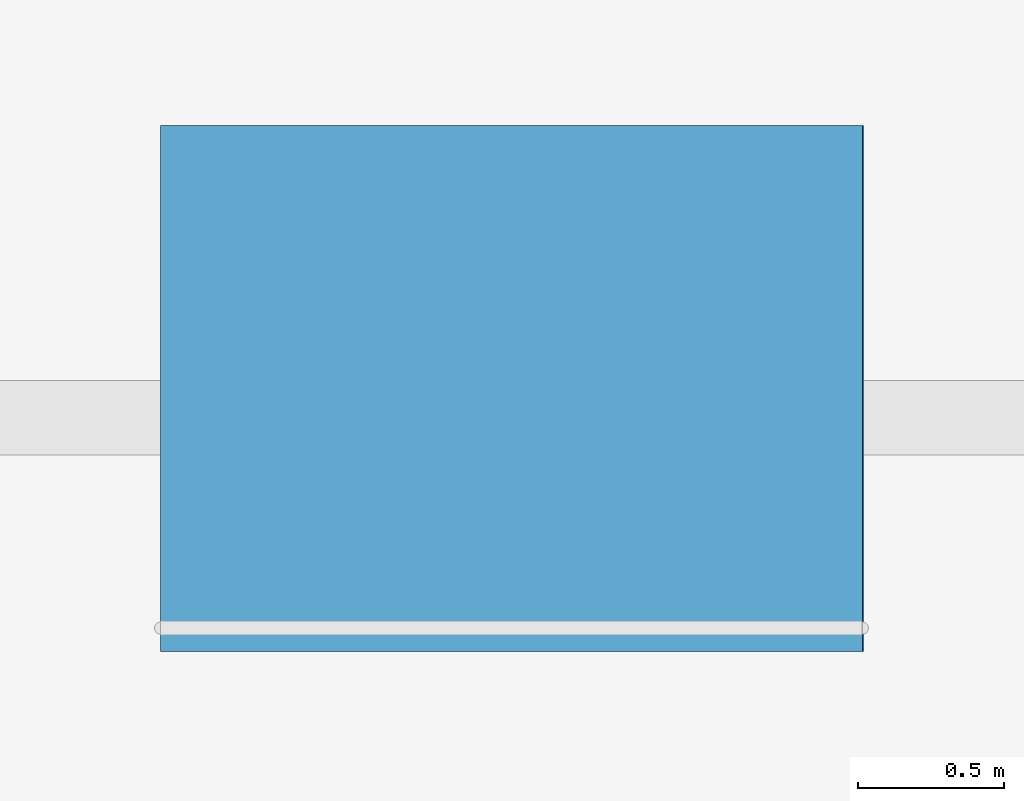
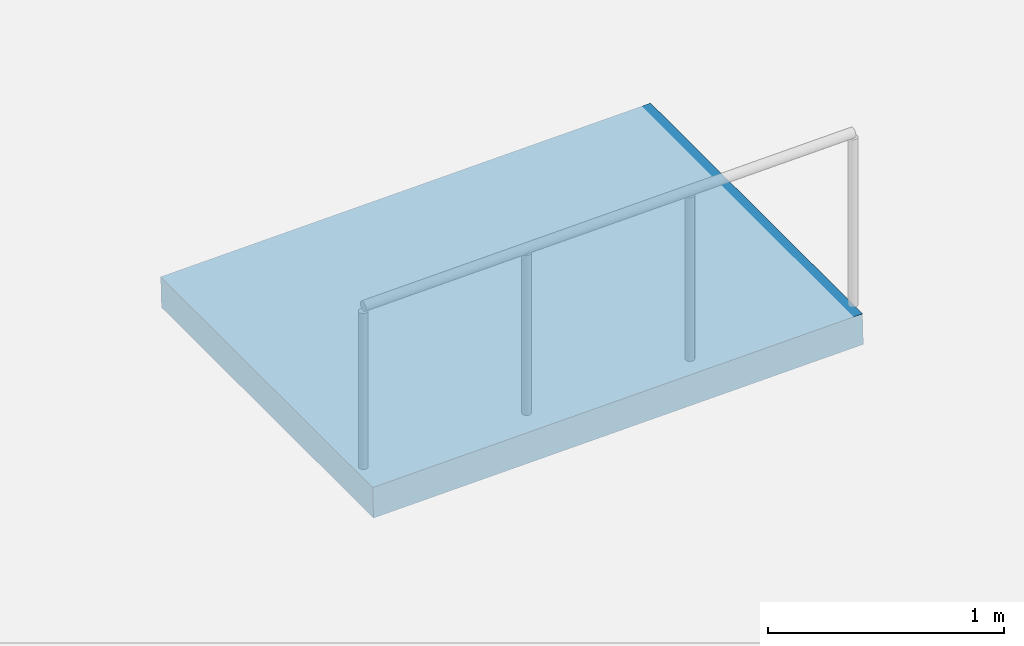
# One storey, part 148 of 174: 1 ramp flight, 1 element without a shape of its own.
"""IFC4 building model written with IfcOpenShell, lengths in metres."""

from ifc_helpers import new_model, si_unit, direction, frame, origin, place, context, subcontext, project, spatial, polyline, outline, extrude, material, layer, layer_set, type_object, element, aggregate, save


model = new_model("IFC4")

# Units and contexts
model_context = context("Model", 3, precision=1e-05, world=origin(), true_north=direction((0.0, 1.0)))
body_context = subcontext(model_context, "Body", "Model", "MODEL_VIEW")
ifc_project = project(units=[si_unit("LENGTHUNIT", "METRE"), si_unit("AREAUNIT", "SQUARE_METRE"), si_unit("VOLUMEUNIT", "CUBIC_METRE"), si_unit("PLANEANGLEUNIT", "RADIAN"), si_unit("MASSUNIT", "GRAM", prefix="KILO")], contexts=[model_context])

# Site, building, storey
site_placement = place(None, origin())
site = spatial("IfcSite", under=ifc_project, at=site_placement, CompositionType="ELEMENT")
building_placement = place(site_placement, origin())
building = spatial("IfcBuilding", under=site, at=building_placement, Name="Mavantir Sound Aquarium", CompositionType="ELEMENT")
storey_placement = place(building_placement, frame((0.0, 0.0, 5.39990234375)))
storey = spatial("IfcBuildingStorey", under=building, at=storey_placement, Name="L01", CompositionType="ELEMENT", Elevation=5.39990234375)

# Ramp, ramp flight
ifc_material = material(Name="Concrete C40/50", Category="concrete")
ramp_type = type_object("IfcRampType", Name="RMP-PED", PredefinedType="STRAIGHT_RUN_RAMP", material=ifc_material)
ramp_placement = place(storey_placement, origin())
ramp = element("IfcRamp", 1, at=ramp_placement, inside=storey, type_object=ramp_type, Name="L01 accessible gallery ramp 5", PredefinedType="STRAIGHT_RUN_RAMP")
ifc_layer = layer(ifc_material, 0.159912109375, Name="Concrete C40/50")
ifc_layer_set = layer_set([ifc_layer], Name="Concrete C40/50")
ramp_flight_type = type_object("IfcRampFlightType", Name="RMPF-PED", PredefinedType="STRAIGHT", material=ifc_layer_set)
ramp_flight_placement = place(storey_placement, frame((159.5, 44.0, -0.059814453125), z_axis=(-0.024915965365, 0.0, 0.999689549145), x_axis=(0.999689549145, 0.0, 0.024915965365)))
ramp_flight = element("IfcRampFlight", 2, at=ramp_flight_placement, type_object=ramp_flight_type, Name="L01 accessible gallery ramp flight 5", PredefinedType="STRAIGHT", context=body_context, shape_type="SweptSolid", body=[
    extrude(outline(polyline([(0.0, 0.0), (2.400647626858092, 0.0), (2.400647626858092, 1.800048828125), (0.0, 1.800048828125), (0.0, 0.0)])), origin(), (0.0, 0.0, -1.0), 0.159912109375),
])
aggregate(ramp, [ramp_flight])

save(model, "model.ifc")
